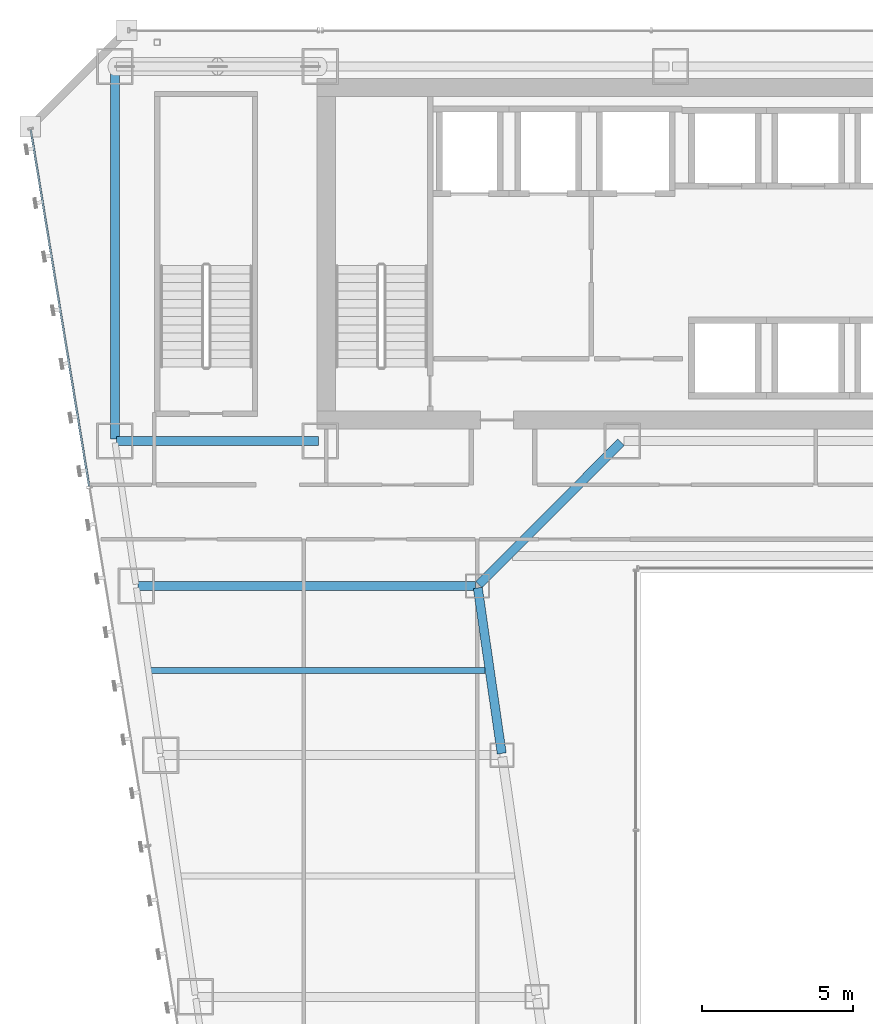
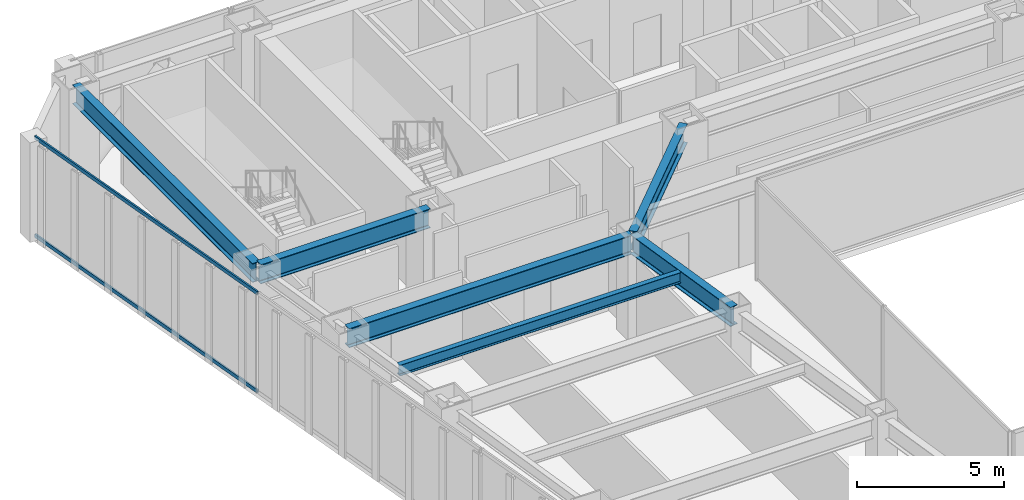
# One storey, part 23 of 47: 6 beams, 2 members, 1 element without a shape of its own.
"""IFC4 building model written with IfcOpenShell, lengths in metres."""

from ifc_helpers import new_model, si_unit, direction, frame, origin, origin_2d, place, context, subcontext, project, spatial, hollow_rectangle, i_section, extrude, material, material_profile, profile_set, type_object, element, aggregate, save


model = new_model("IFC4")

# Units and contexts
model_context = context("Model", 3, precision=1e-05, world=origin(), true_north=direction((0.0, 1.0)))
body_context = subcontext(model_context, "Body", "Model", "MODEL_VIEW")
ifc_project = project(units=[si_unit("LENGTHUNIT", "METRE"), si_unit("AREAUNIT", "SQUARE_METRE"), si_unit("VOLUMEUNIT", "CUBIC_METRE"), si_unit("PLANEANGLEUNIT", "RADIAN"), si_unit("MASSUNIT", "GRAM", prefix="KILO")], contexts=[model_context])

# Site, building, storey
site_placement = place(None, origin())
site = spatial("IfcSite", under=ifc_project, at=site_placement, CompositionType="ELEMENT")
building_placement = place(site_placement, origin())
building = spatial("IfcBuilding", under=site, at=building_placement, Name="Saevonmaru Cultural Tower", CompositionType="ELEMENT")
storey_placement = place(building_placement, frame((0.0, 0.0, 47.199951171875)))
storey = spatial("IfcBuildingStorey", under=building, at=storey_placement, Name="L09", CompositionType="ELEMENT", Elevation=47.199951171875)

# Beams
ifc_material_1 = material(Name="Steel SM420", Category="steel")
ifc_material_profile_1 = material_profile(ifc_material_1, i_section(OverallWidth=0.300048828125, OverallDepth=0.800048828125, WebThickness=0.013916015625, FlangeThickness=0.02587890625, FilletRadius=0.028076171875, at=origin_2d()), Name="H-800x300x14x26")
ifc_profile_set_1 = profile_set([ifc_material_profile_1], Name="Steel SM420")
beam_type_1 = type_object("IfcBeamType", Name="BM-G-H800", PredefinedType="BEAM", material=ifc_profile_set_1)
beam_1_placement = place(storey_placement, frame((6.860107421875, 42.39990234375, 3.75), z_axis=(1.0, 0.0, 0.0), x_axis=(0.0, 1.0, 0.0)))
element("IfcBeam", 1, at=beam_1_placement, inside=storey, type_object=beam_type_1, Name="L09 Core South Girder 1", PredefinedType="BEAM", context=body_context, shape_type="SweptSolid", body=[
    extrude(i_section(OverallWidth=0.300048828125, OverallDepth=0.800048828125, WebThickness=0.013916015625, FlangeThickness=0.02587890625, FilletRadius=0.028076171875, at=origin_2d()), origin(), (0.0, 0.0, 1.0), 6.679931640625),
])
beam_2_placement = place(storey_placement, frame((6.800048828125, 54.739990234375, 3.75), z_axis=(0.0, -1.0, 0.0), x_axis=(1.0, 0.0, 0.0)))
element("IfcBeam", 2, at=beam_2_placement, inside=storey, type_object=beam_type_1, Name="L09 Spine Transverse Girder W", PredefinedType="BEAM", context=body_context, shape_type="SweptSolid", body=[
    extrude(i_section(OverallWidth=0.300048828125, OverallDepth=0.800048828125, WebThickness=0.013916015625, FlangeThickness=0.02587890625, FilletRadius=0.028076171875, at=origin_2d()), origin(), (0.0, 0.0, 1.0), 12.280029296875),
])
beam_3_placement = place(storey_placement, frame((19.6083984375, 32.059326171875, 3.75), z_axis=(-0.142964121327, 0.989727871697, 0.0), x_axis=(-0.989727871697, -0.142964121327, 0.0)))
element("IfcBeam", 3, at=beam_3_placement, inside=storey, type_object=beam_type_1, Name="L09 West Atrium Girder 5", PredefinedType="BEAM", context=body_context, shape_type="SweptSolid", body=[
    extrude(i_section(OverallWidth=0.300048828125, OverallDepth=0.800048828125, WebThickness=0.013916015625, FlangeThickness=0.02587890625, FilletRadius=0.028076171875, at=origin_2d()), origin(), (0.0, 0.0, 1.0), 5.5380859375),
])
beam_4_placement = place(storey_placement, frame((18.850341796875, 37.642578125, 3.75), z_axis=(0.706538566564, 0.707674539572, 0.0), x_axis=(-0.707674539572, 0.706538566564, 0.0)))
element("IfcBeam", 4, at=beam_4_placement, inside=storey, type_object=beam_type_1, Name="L09 West Atrium Girder 6", PredefinedType="BEAM", context=body_context, shape_type="SweptSolid", body=[
    extrude(i_section(OverallWidth=0.300048828125, OverallDepth=0.800048828125, WebThickness=0.013916015625, FlangeThickness=0.02587890625, FilletRadius=0.028076171875, at=origin_2d()), origin(), (0.0, 0.0, 1.0), 6.662353515625),
])
beam_5_placement = place(storey_placement, frame((7.568115234375, 37.60009765625, 3.75), z_axis=(1.0, 0.0, 0.0), x_axis=(0.0, 1.0, 0.0)))
element("IfcBeam", 5, at=beam_5_placement, inside=storey, type_object=beam_type_1, Name="L09 West Wing Transverse Girder 6", PredefinedType="BEAM", context=body_context, shape_type="SweptSolid", body=[
    extrude(i_section(OverallWidth=0.300048828125, OverallDepth=0.800048828125, WebThickness=0.013916015625, FlangeThickness=0.02587890625, FilletRadius=0.028076171875, at=origin_2d()), origin(), (0.0, 0.0, 1.0), 11.179931640625),
])
ifc_material_2 = material(Name="Steel SM355", Category="steel")
ifc_material_profile_2 = material_profile(ifc_material_2, i_section(OverallWidth=0.199951171875, OverallDepth=0.449951171875, WebThickness=0.009033203125, FlangeThickness=0.013916015625, FilletRadius=0.01806640625, at=origin_2d()), Name="H-450x200x9x14")
ifc_profile_set_2 = profile_set([ifc_material_profile_2], Name="Steel SM355")
beam_type_2 = type_object("IfcBeamType", Name="BM-J-H450", PredefinedType="JOIST", material=ifc_profile_set_2)
beam_6_placement = place(storey_placement, frame((7.972412109375, 34.800048828125, 3.925048828125), z_axis=(1.0, 0.0, 0.0), x_axis=(0.0, 1.0, 0.0)))
element("IfcBeam", 6, at=beam_6_placement, inside=storey, type_object=beam_type_2, Name="L09 West Wing Floor Joist 5", PredefinedType="JOIST", context=body_context, shape_type="SweptSolid", body=[
    extrude(i_section(OverallWidth=0.199951171875, OverallDepth=0.449951171875, WebThickness=0.009033203125, FlangeThickness=0.013916015625, FilletRadius=0.01806640625, at=origin_2d()), origin(), (0.0, 0.0, 1.0), 11.08203125),
])

# Curtain wall, members
ifc_material_3 = material(Name="Satin Bronze Anodised Aluminium", Category="aluminium")
curtain_wall_type = type_object("IfcCurtainWallType", Name="CW-TYP-A", PredefinedType="NOTDEFINED", material=ifc_material_3)
curtain_wall_placement = place(storey_placement, origin())
curtain_wall = element("IfcCurtainWall", 7, at=curtain_wall_placement, inside=storey, type_object=curtain_wall_type, Name="L09 Unitised Curtain Wall E12", PredefinedType="NOTDEFINED")
ifc_material_profile_3 = material_profile(ifc_material_3, hollow_rectangle(XDim=0.06494140625, YDim=0.14990234375, WallThickness=0.00390625, at=origin_2d()), Name="ALU-TRAN-150x65x4")
ifc_profile_set_3 = profile_set([ifc_material_profile_3], Name="Satin Bronze Anodised Aluminium")
member_type = type_object("IfcMemberType", Name="TR-CW-150x65", PredefinedType="USERDEFINED", material=ifc_profile_set_3)
member_1_placement = place(storey_placement, frame((4.014892578125, 52.708740234375, 0.032470703125), z_axis=(0.161724530373, -0.986835941925, 0.0), x_axis=(0.986835941925, 0.161724530373, 0.0)))
member_1 = element("IfcMember", 8, at=member_1_placement, type_object=member_type, Name="CW-TW-L09-E12 transom 1.1", ObjectType="TRANSOM", PredefinedType="USERDEFINED", context=body_context, shape_type="SweptSolid", body=[
    extrude(hollow_rectangle(XDim=0.06494140625, YDim=0.14990234375, WallThickness=0.00390625, at=origin_2d()), origin(), (0.0, 0.0, 1.0), 11.963623046875),
])
member_2_placement = place(storey_placement, frame((4.014892578125, 52.708740234375, 4.117431640625), z_axis=(0.161724530373, -0.986835941925, 0.0), x_axis=(0.986835941925, 0.161724530373, 0.0)))
member_2 = element("IfcMember", 9, at=member_2_placement, type_object=member_type, Name="CW-TW-L09-E12 transom 1.2", ObjectType="TRANSOM", PredefinedType="USERDEFINED", context=body_context, shape_type="SweptSolid", body=[
    extrude(hollow_rectangle(XDim=0.06494140625, YDim=0.14990234375, WallThickness=0.00390625, at=origin_2d()), origin(), (0.0, 0.0, 1.0), 11.963623046875),
])
aggregate(curtain_wall, [member_1, member_2])

save(model, "model.ifc")
